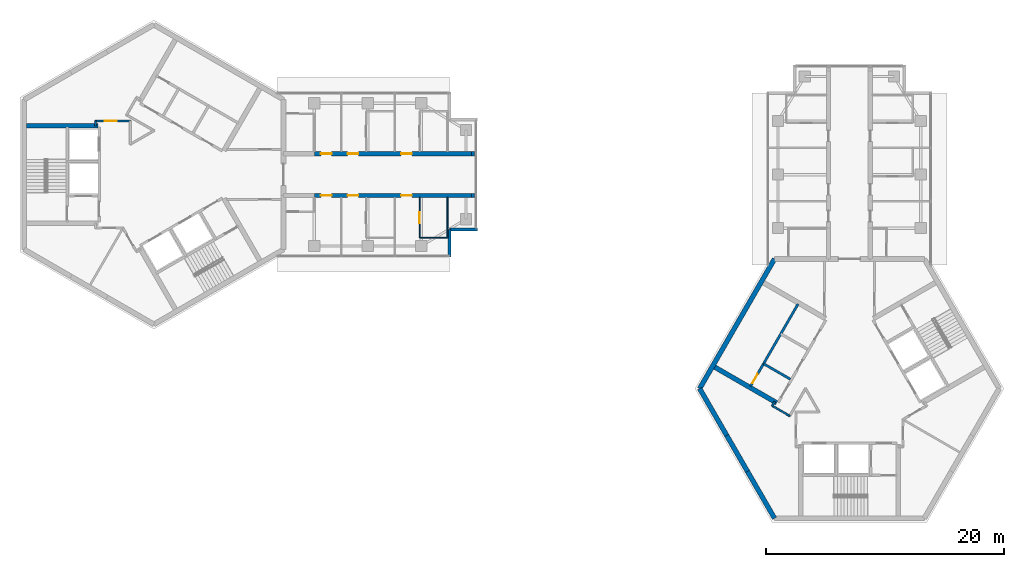
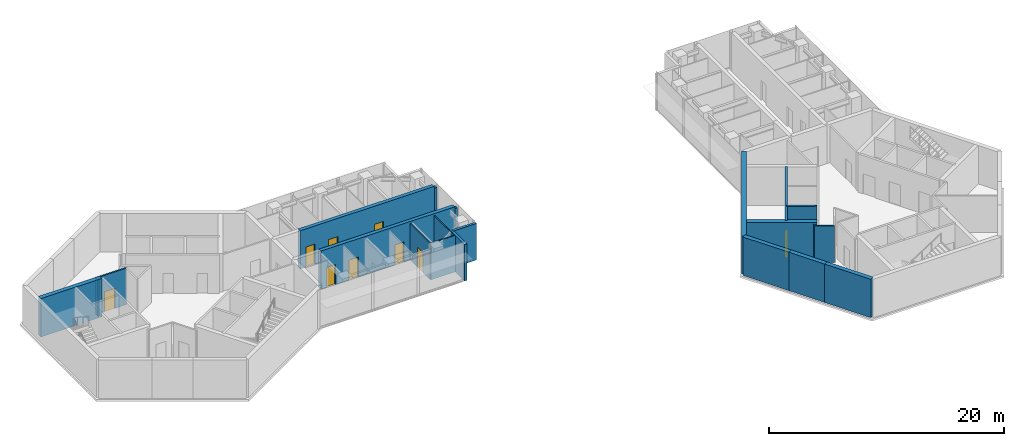
# One storey, part 6 of 11: 21 walls, 9 doors, 9 openings.
"""IFC4 building model written with IfcOpenShell, lengths in metres."""

from ifc_helpers import new_model, si_unit, direction, frame, frame_2d, origin, place, context, subcontext, project, spatial, rectangle, extrude, material, layer, layer_set, type_object, element, fill, save


model = new_model("IFC4")

# Units and contexts
model_context = context("Model", 3, precision=1e-05, world=origin(), true_north=direction((0.0, 1.0)))
body_context = subcontext(model_context, "Body", "Model", "MODEL_VIEW")
ifc_project = project(units=[si_unit("LENGTHUNIT", "METRE"), si_unit("AREAUNIT", "SQUARE_METRE"), si_unit("VOLUMEUNIT", "CUBIC_METRE"), si_unit("PLANEANGLEUNIT", "RADIAN"), si_unit("MASSUNIT", "GRAM", prefix="KILO")], contexts=[model_context])

# Site, building, storey
site_placement = place(None, origin())
site = spatial("IfcSite", under=ifc_project, at=site_placement, CompositionType="ELEMENT")
building_placement = place(site_placement, origin())
building = spatial("IfcBuilding", under=site, at=building_placement, Name="Upepo Twin Towers", CompositionType="ELEMENT")
storey_placement = place(building_placement, frame((0.0, 0.0, 279.5)))
storey = spatial("IfcBuildingStorey", under=building, at=storey_placement, Name="L68", CompositionType="ELEMENT", Elevation=279.5)

# Walls
ifc_material_1 = material(Name="Dense concrete blockwork", Category="masonry")
ifc_layer_1 = layer(ifc_material_1, 0.35009765625)
ifc_layer_set_1 = layer_set([ifc_layer_1], Name="Buttress closer 350, blockwork with fire-stopping to the curtain wall")
wall_type_1 = type_object("IfcWallType", Name="Buttress closer 350, blockwork with fire-stopping to the curtain wall", PredefinedType="PARTITIONING", material=ifc_layer_set_1)
for number, where, z_axis, x_axis, name in (
    (1, (26.699951171875, 1.75, 0.0), (0.0, 0.0, 1.0), (1.0, 0.0, 0.0), "T1 L68 wing A buttress closer L"),
    (2, (26.699951171875, -1.75, 0.0), (0.0, 0.0, 1.0), (1.0, 0.0, 0.0), "T1 L68 wing A buttress closer R"),
):
    element("IfcWall", number, at=place(storey_placement, frame(where, z_axis=z_axis, x_axis=x_axis)), inside=storey, type_object=wall_type_1, Name=name, PredefinedType="PARTITIONING", context=body_context, shape_type="SweptSolid", body=[
        extrude(rectangle(XDim=0.275146484375, YDim=0.35009765625, at=frame_2d((0.1376953125, 0.0))), origin(), (0.0, 0.0, 1.0), 3.800048828125),
    ])

# Wall, openings, doors
ifc_material_2 = material(Name="Concrete C60/75", Category="concrete")
ifc_layer_2 = layer(ifc_material_2, 0.35009765625)
ifc_layer_set_2 = layer_set([ifc_layer_2], Name="Concrete C60/75")
wall_type_2 = type_object("IfcWallType", Name="Buttress wall 350 RC", PredefinedType="SHEAR", material=ifc_layer_set_2)
wall_1_placement = place(storey_placement, frame((13.5, 1.75, 0.0), z_axis=(0.0, 0.0, 1.0), x_axis=(1.0, 0.0, 0.0)))
wall_1 = element("IfcWall", 3, at=wall_1_placement, inside=storey, type_object=wall_type_2, Name="T1 wing A buttress wall L part 2", PredefinedType="SHEAR", context=body_context, shape_type="SweptSolid", body=[
    extrude(rectangle(XDim=13.199951171875, YDim=0.35009765625, at=frame_2d((6.60009765625, 0.0))), origin(), (0.0, 0.0, 1.0), 4.0),
])
opening_1_placement = place(wall_1_placement, frame((0.550048828125, 0.0, 0.0)))
opening_1 = element("IfcOpeningElement", 4, at=opening_1_placement, cuts=wall_1, Name="Opening D11", PredefinedType="OPENING", context=body_context, shape_type="SweptSolid", body=[
    extrude(rectangle(XDim=0.89990234375, YDim=2.10009765625, at=frame_2d((0.449951171875, 1.050048828125))), frame((0.0, 0.18505859375, 0.0), z_axis=(0.0, -1.0, 0.0), x_axis=(1.0, 0.0, 0.0)), (0.0, 0.0, 1.0), 0.3701171875),
])
opening_2_placement = place(wall_1_placement, frame((2.800048828125, 0.0, 0.0)))
opening_2 = element("IfcOpeningElement", 5, at=opening_2_placement, cuts=wall_1, Name="Opening D14", PredefinedType="OPENING", context=body_context, shape_type="SweptSolid", body=[
    extrude(rectangle(XDim=0.89990234375, YDim=2.10009765625, at=frame_2d((0.449951171875, 1.050048828125))), frame((0.0, 0.18505859375, 0.0), z_axis=(0.0, -1.0, 0.0), x_axis=(1.0, 0.0, 0.0)), (0.0, 0.0, 1.0), 0.3701171875),
])
opening_3_placement = place(wall_1_placement, frame((7.300048828125, 0.0, 0.0)))
opening_3 = element("IfcOpeningElement", 6, at=opening_3_placement, cuts=wall_1, Name="Opening D14", PredefinedType="OPENING", context=body_context, shape_type="SweptSolid", body=[
    extrude(rectangle(XDim=0.89990234375, YDim=2.10009765625, at=frame_2d((0.449951171875, 1.050048828125))), frame((0.0, 0.18505859375, 0.0), z_axis=(0.0, -1.0, 0.0), x_axis=(1.0, 0.0, 0.0)), (0.0, 0.0, 1.0), 0.3701171875),
])
ifc_material_3 = material(Name="Timber doorset", Category="wood")
door_type_1 = type_object("IfcDoorType", Name="Office door 900 FD30", OperationType="SINGLE_SWING_LEFT", PredefinedType="DOOR", material=ifc_material_3)
door_1_placement = place(opening_2_placement, origin())
door_1 = element("IfcDoor", 7, at=door_1_placement, inside=storey, type_object=door_type_1, Name="T1 L68 staff office door", OperationType="SINGLE_SWING_LEFT", OverallHeight=2.10009765625, OverallWidth=0.89990234375, PredefinedType="DOOR", context=body_context, shape_type="SweptSolid", body=[
    extrude(rectangle(XDim=0.89990234375, YDim=2.10009765625, at=frame_2d((0.449951171875, 1.050048828125))), frame((0.0, 0.02490234375, 0.0), z_axis=(0.0, -1.0, 0.0), x_axis=(1.0, 0.0, 0.0)), (0.0, 0.0, 1.0), 0.050048828125),
])
fill(opening_2, door_1)
door_2_placement = place(opening_3_placement, origin())
door_2 = element("IfcDoor", 8, at=door_2_placement, inside=storey, type_object=door_type_1, Name="T1 L68 postgraduate office door", OperationType="SINGLE_SWING_RIGHT", OverallHeight=2.10009765625, OverallWidth=0.89990234375, PredefinedType="DOOR", context=body_context, shape_type="SweptSolid", body=[
    extrude(rectangle(XDim=0.89990234375, YDim=2.10009765625, at=frame_2d((0.449951171875, 1.050048828125))), frame((0.0, 0.02490234375, 0.0), z_axis=(0.0, -1.0, 0.0), x_axis=(1.0, 0.0, 0.0)), (0.0, 0.0, 1.0), 0.050048828125),
])
fill(opening_3, door_2)
ifc_material_4 = material(Name="Timber doorset", Category="wood")
door_type_2 = type_object("IfcDoorType", Name="Toilet door 900", OperationType="SINGLE_SWING_LEFT", PredefinedType="DOOR", material=ifc_material_4)
door_3_placement = place(opening_1_placement, origin())
door_3 = element("IfcDoor", 9, at=door_3_placement, inside=storey, type_object=door_type_2, Name="T1 L68 accessible wc door", OperationType="SINGLE_SWING_LEFT", OverallHeight=2.10009765625, OverallWidth=0.89990234375, PredefinedType="DOOR", context=body_context, shape_type="SweptSolid", body=[
    extrude(rectangle(XDim=0.89990234375, YDim=2.10009765625, at=frame_2d((0.449951171875, 1.050048828125))), frame((0.0, 0.02490234375, 0.0), z_axis=(0.0, -1.0, 0.0), x_axis=(1.0, 0.0, 0.0)), (0.0, 0.0, 1.0), 0.050048828125),
])
fill(opening_1, door_3)

wall_2_placement = place(storey_placement, frame((13.5, -1.75, 0.0), z_axis=(0.0, 0.0, 1.0), x_axis=(1.0, 0.0, 0.0)))
wall_2 = element("IfcWall", 10, at=wall_2_placement, inside=storey, type_object=wall_type_2, Name="T1 wing A buttress wall R part 2", PredefinedType="SHEAR", context=body_context, shape_type="SweptSolid", body=[
    extrude(rectangle(XDim=13.199951171875, YDim=0.35009765625, at=frame_2d((6.60009765625, 0.0))), origin(), (0.0, 0.0, 1.0), 4.0),
])
opening_4_placement = place(wall_2_placement, frame((0.550048828125, 0.0, 0.0)))
opening_4 = element("IfcOpeningElement", 11, at=opening_4_placement, cuts=wall_2, Name="Opening D11", PredefinedType="OPENING", context=body_context, shape_type="SweptSolid", body=[
    extrude(rectangle(XDim=0.89990234375, YDim=2.10009765625, at=frame_2d((0.449951171875, 1.050048828125))), frame((0.0, 0.18505859375, 0.0), z_axis=(0.0, -1.0, 0.0), x_axis=(1.0, 0.0, 0.0)), (0.0, 0.0, 1.0), 0.3701171875),
])
opening_5_placement = place(wall_2_placement, frame((2.800048828125, 0.0, 0.0)))
opening_5 = element("IfcOpeningElement", 12, at=opening_5_placement, cuts=wall_2, Name="Opening D14", PredefinedType="OPENING", context=body_context, shape_type="SweptSolid", body=[
    extrude(rectangle(XDim=0.89990234375, YDim=2.10009765625, at=frame_2d((0.449951171875, 1.050048828125))), frame((0.0, 0.18505859375, 0.0), z_axis=(0.0, -1.0, 0.0), x_axis=(1.0, 0.0, 0.0)), (0.0, 0.0, 1.0), 0.3701171875),
])
opening_6_placement = place(wall_2_placement, frame((7.300048828125, 0.0, 0.0)))
opening_6 = element("IfcOpeningElement", 13, at=opening_6_placement, cuts=wall_2, Name="Opening D14", PredefinedType="OPENING", context=body_context, shape_type="SweptSolid", body=[
    extrude(rectangle(XDim=0.89990234375, YDim=2.10009765625, at=frame_2d((0.449951171875, 1.050048828125))), frame((0.0, 0.18505859375, 0.0), z_axis=(0.0, -1.0, 0.0), x_axis=(1.0, 0.0, 0.0)), (0.0, 0.0, 1.0), 0.3701171875),
])
door_4_placement = place(opening_5_placement, origin())
door_4 = element("IfcDoor", 14, at=door_4_placement, inside=storey, type_object=door_type_1, Name="T1 L68 meeting room door", OperationType="SINGLE_SWING_LEFT", OverallHeight=2.10009765625, OverallWidth=0.89990234375, PredefinedType="DOOR", context=body_context, shape_type="SweptSolid", body=[
    extrude(rectangle(XDim=0.89990234375, YDim=2.10009765625, at=frame_2d((0.449951171875, 1.050048828125))), frame((0.0, 0.02490234375, 0.0), z_axis=(0.0, -1.0, 0.0), x_axis=(1.0, 0.0, 0.0)), (0.0, 0.0, 1.0), 0.050048828125),
])
fill(opening_5, door_4)
door_5_placement = place(opening_6_placement, origin())
door_5 = element("IfcDoor", 15, at=door_5_placement, inside=storey, type_object=door_type_1, Name="T1 L68 staff office door", OperationType="SINGLE_SWING_RIGHT", OverallHeight=2.10009765625, OverallWidth=0.89990234375, PredefinedType="DOOR", context=body_context, shape_type="SweptSolid", body=[
    extrude(rectangle(XDim=0.89990234375, YDim=2.10009765625, at=frame_2d((0.449951171875, 1.050048828125))), frame((0.0, 0.02490234375, 0.0), z_axis=(0.0, -1.0, 0.0), x_axis=(1.0, 0.0, 0.0)), (0.0, 0.0, 1.0), 0.050048828125),
])
fill(opening_6, door_5)
door_6_placement = place(opening_4_placement, origin())
door_6 = element("IfcDoor", 16, at=door_6_placement, inside=storey, type_object=door_type_2, Name="T1 L68 toilets door", OperationType="SINGLE_SWING_LEFT", OverallHeight=2.10009765625, OverallWidth=0.89990234375, PredefinedType="DOOR", context=body_context, shape_type="SweptSolid", body=[
    extrude(rectangle(XDim=0.89990234375, YDim=2.10009765625, at=frame_2d((0.449951171875, 1.050048828125))), frame((0.0, 0.02490234375, 0.0), z_axis=(0.0, -1.0, 0.0), x_axis=(1.0, 0.0, 0.0)), (0.0, 0.0, 1.0), 0.050048828125),
])
fill(opening_4, door_6)

# Walls
ifc_material_5 = material(Name="Concrete C60/75", Category="concrete")
ifc_layer_3 = layer(ifc_material_5, 0.39990234375)
ifc_layer_set_3 = layer_set([ifc_layer_3], Name="Concrete C60/75")
wall_type_3 = type_object("IfcWallType", Name="Core wall 400 RC", PredefinedType="SHEAR", material=ifc_layer_set_3)
wall_3_placement = place(storey_placement, frame((52.2021484375, -7.091552734375, 0.0), z_axis=(0.0, 0.0, 1.0), x_axis=(-0.500005998175, -0.866021940709, 0.0)))
element("IfcWall", 17, at=wall_3_placement, inside=storey, type_object=wall_type_3, Name="T2 core wall 060", PredefinedType="SHEAR", context=body_context, shape_type="SweptSolid", body=[
    extrude(rectangle(XDim=12.595947265625, YDim=0.39990234375, at=frame_2d((6.2978515625, 0.0))), origin(), (0.0, 0.0, 1.0), 4.0),
])
wall_4_placement = place(storey_placement, frame((45.904052734375, -18.0, 0.0), z_axis=(0.0, 0.0, 1.0), x_axis=(0.500024481964, -0.866011268655, 0.0)))
element("IfcWall", 18, at=wall_4_placement, inside=storey, type_object=wall_type_3, Name="T2 core wall 120 R", PredefinedType="SHEAR", context=body_context, shape_type="SweptSolid", body=[
    extrude(rectangle(XDim=4.548095703125, YDim=0.39990234375, at=frame_2d((2.27392578125, 0.0))), origin(), (0.0, 0.0, 1.0), 4.0),
])
wall_5_placement = place(storey_placement, frame((48.17822265625, -21.938720703125, 0.0), z_axis=(0.0, 0.0, 1.0), x_axis=(0.500010275428, -0.866019471182, 0.0)))
element("IfcWall", 19, at=wall_5_placement, inside=storey, type_object=wall_type_3, Name="T2 core wall 120", PredefinedType="SHEAR", context=body_context, shape_type="SweptSolid", body=[
    extrude(rectangle(XDim=3.5, YDim=0.39990234375, at=frame_2d((1.75, 0.0))), origin(), (0.0, 0.0, 1.0), 4.0),
])
wall_6_placement = place(storey_placement, frame((49.92822265625, -24.9697265625, 0.0), z_axis=(0.0, 0.0, 1.0), x_axis=(0.499984222037, -0.866034513004, 0.0)))
element("IfcWall", 20, at=wall_6_placement, inside=storey, type_object=wall_type_3, Name="T2 core wall 120 L", PredefinedType="SHEAR", context=body_context, shape_type="SweptSolid", body=[
    extrude(rectangle(XDim=4.548095703125, YDim=0.39990234375, at=frame_2d((2.27392578125, 0.0))), origin(), (0.0, 0.0, 1.0), 4.0),
])
ifc_material_6 = material(Name="Blockwork with anodised aluminium cladding", Category="masonry")
ifc_layer_4 = layer(ifc_material_6, 0.25)
ifc_layer_set_4 = layer_set([ifc_layer_4], Name="Notch cladding wall 250, pale metal")
wall_type_4 = type_object("IfcWallType", Name="Notch cladding wall 250, pale metal", PredefinedType="STANDARD", material=ifc_layer_set_4)
for number, where, z_axis, x_axis, name in (
    (21, (24.875, -6.949951171875, 0.0), (0.0, 0.0, 1.0), (0.0, 1.0, 0.0), "T1 L68 wing A notch wall R1"),
    (22, (24.875, -4.625, 0.0), (0.0, 0.0, 1.0), (1.0, 0.0, 0.0), "T1 L68 wing A notch wall R2"),
):
    element("IfcWall", number, at=place(storey_placement, frame(where, z_axis=z_axis, x_axis=x_axis)), inside=storey, type_object=wall_type_4, Name=name, PredefinedType="STANDARD", context=body_context, shape_type="SweptSolid", body=[
        extrude(rectangle(XDim=2.324951171875, YDim=0.25, at=frame_2d((1.16259765625, 0.0))), origin(), (0.0, 0.0, 1.0), 3.800048828125),
    ])
ifc_material_7 = material(Name="Gypsum board on steel studs", Category="steel")
ifc_layer_5 = layer(ifc_material_7, 0.10009765625)
ifc_layer_set_5 = layer_set([ifc_layer_5], Name="Office partition 100 stud")
wall_type_5 = type_object("IfcWallType", Name="Office partition 100 stud", PredefinedType="PARTITIONING", material=ifc_layer_set_5)
wall_7_placement = place(storey_placement, frame((22.35009765625, -5.324951171875, 0.0), z_axis=(0.0, 0.0, 1.0), x_axis=(1.0, 0.0, 0.0)))
element("IfcWall", 23, at=wall_7_placement, inside=storey, type_object=wall_type_5, Name="T1 inner room partition AR at 22.35", PredefinedType="PARTITIONING", context=body_context, shape_type="SweptSolid", body=[
    extrude(rectangle(XDim=2.39990234375, YDim=0.10009765625, at=frame_2d((1.199951171875, 0.0))), origin(), (0.0, 0.0, 1.0), 3.800048828125),
])

# Wall, opening, door
wall_8_placement = place(storey_placement, frame((22.35009765625, -1.925048828125, 0.0), z_axis=(0.0, 0.0, 1.0), x_axis=(0.0, -1.0, 0.0)))
wall_8 = element("IfcWall", 24, at=wall_8_placement, inside=storey, type_object=wall_type_5, Name="T1 inner room partition AR end at 22.35", PredefinedType="PARTITIONING", context=body_context, shape_type="SweptSolid", body=[
    extrude(rectangle(XDim=3.39990234375, YDim=0.10009765625, at=frame_2d((1.699951171875, 0.0))), origin(), (0.0, 0.0, 1.0), 3.800048828125),
])
opening_7_placement = place(wall_8_placement, frame((1.25, 0.0, 0.0)))
opening_7 = element("IfcOpeningElement", 25, at=opening_7_placement, cuts=wall_8, Name="Opening D14", PredefinedType="OPENING", context=body_context, shape_type="SweptSolid", body=[
    extrude(rectangle(XDim=0.89990234375, YDim=2.10009765625, at=frame_2d((0.449951171875, 1.050048828125))), frame((0.0, 0.06005859375, 0.0), z_axis=(0.0, -1.0, 0.0), x_axis=(1.0, 0.0, 0.0)), (0.0, 0.0, 1.0), 0.1201171875),
])
door_7_placement = place(opening_7_placement, origin())
door_7 = element("IfcDoor", 26, at=door_7_placement, inside=storey, type_object=door_type_1, Name="T1 L68 inner room door", OperationType="SINGLE_SWING_LEFT", OverallHeight=2.10009765625, OverallWidth=0.89990234375, PredefinedType="DOOR", context=body_context, shape_type="SweptSolid", body=[
    extrude(rectangle(XDim=0.89990234375, YDim=2.10009765625, at=frame_2d((0.449951171875, 1.050048828125))), frame((0.0, 0.02490234375, 0.0), z_axis=(0.0, -1.0, 0.0), x_axis=(1.0, 0.0, 0.0)), (0.0, 0.0, 1.0), 0.050048828125),
])
fill(opening_7, door_7)

# Walls
wall_9_placement = place(storey_placement, frame((24.699951171875, -1.925048828125, 0.0), z_axis=(0.0, 0.0, 1.0), x_axis=(0.0, -1.0, 0.0)))
element("IfcWall", 27, at=wall_9_placement, inside=storey, type_object=wall_type_5, Name="T1 inner room partition AR end at 24.75", PredefinedType="PARTITIONING", context=body_context, shape_type="SweptSolid", body=[
    extrude(rectangle(XDim=3.39990234375, YDim=0.10009765625, at=frame_2d((1.699951171875, 0.0))), origin(), (0.0, 0.0, 1.0), 3.800048828125),
])
ifc_material_8 = material(Name="Concrete C40/50", Category="concrete")
ifc_layer_6 = layer(ifc_material_8, 0.199951171875)
ifc_layer_set_6 = layer_set([ifc_layer_6], Name="Concrete C40/50")
wall_type_6 = type_object("IfcWallType", Name="Shaft wall 200 RC", PredefinedType="SHEAR", material=ifc_layer_set_6)
wall_10_placement = place(storey_placement, frame((53.52978515625, -17.208740234375, 0.0), z_axis=(0.0, 0.0, 1.0), x_axis=(-0.866062058628, 0.499936506574, 0.0)))
element("IfcWall", 28, at=wall_10_placement, inside=storey, type_object=wall_type_6, Name="T2 core W60 lobby wall", PredefinedType="SHEAR", context=body_context, shape_type="SweptSolid", body=[
    extrude(rectangle(XDim=2.599853515625, YDim=0.199951171875, at=frame_2d((1.2998046875, 0.0))), origin(), (0.0, 0.0, 1.0), 4.0),
])

# Wall, opening, door
wall_11_placement = place(storey_placement, frame((54.177978515625, -10.885986328125, 0.0), z_axis=(0.0, 0.0, 1.0), x_axis=(-0.49999894854, -0.866026010844, 0.0)))
wall_11 = element("IfcWall", 29, at=wall_11_placement, inside=storey, type_object=wall_type_6, Name="T2 core W60 stair wall", PredefinedType="SHEAR", context=body_context, shape_type="SweptSolid", body=[
    extrude(rectangle(XDim=8.0, YDim=0.199951171875, at=frame_2d((4.0, 0.0))), origin(), (0.0, 0.0, 1.0), 4.0),
])
opening_8_placement = place(wall_11_placement, frame((6.800048828125, 0.0, 0.0)))
opening_8 = element("IfcOpeningElement", 30, at=opening_8_placement, cuts=wall_11, Name="Opening D9", PredefinedType="OPENING", context=body_context, shape_type="SweptSolid", body=[
    extrude(rectangle(XDim=0.89990234375, YDim=2.10009765625, at=frame_2d((0.449951171875, 1.050048828125))), frame((0.0, 0.10986328125, 0.0), z_axis=(0.0, -1.0, 0.0), x_axis=(1.0, 0.0, 0.0)), (0.0, 0.0, 1.0), 0.219970703125),
])
ifc_material_9 = material(Name="Timber doorset", Category="wood")
door_type_3 = type_object("IfcDoorType", Name="Riser door 900 FD60", OperationType="SINGLE_SWING_LEFT", PredefinedType="DOOR", material=ifc_material_9)
door_8_placement = place(opening_8_placement, origin())
door_8 = element("IfcDoor", 31, at=door_8_placement, inside=storey, type_object=door_type_3, Name="T2 L68 riser door", OperationType="SINGLE_SWING_RIGHT", OverallHeight=2.10009765625, OverallWidth=0.89990234375, PredefinedType="DOOR", context=body_context, shape_type="SweptSolid", body=[
    extrude(rectangle(XDim=0.89990234375, YDim=2.10009765625, at=frame_2d((0.449951171875, 1.050048828125))), frame((0.0, 0.02490234375, 0.0), z_axis=(0.0, -1.0, 0.0), x_axis=(1.0, 0.0, 0.0)), (0.0, 0.0, 1.0), 0.050048828125),
])
fill(opening_8, door_8)

# Walls
ifc_material_10 = material(Name="Concrete C40/50", Category="concrete")
ifc_layer_7 = layer(ifc_material_10, 0.39990234375)
ifc_layer_set_7 = layer_set([ifc_layer_7], Name="Concrete C40/50")
wall_type_7 = type_object("IfcWallType", Name="Shaft wall 400 RC", PredefinedType="SHEAR", material=ifc_layer_set_7)
for number, where, z_axis, x_axis, name in (
    (32, (-4.699951171875, 4.10009765625, 0.0), (0.0, 0.0, 1.0), (-1.0, 0.0, 0.0), "T1 core W180 side wall S"),
    (33, (52.379638671875, -19.20068359375, 0.0), (0.0, 0.0, 1.0), (-0.866026570101, 0.499997979876, 0.0), "T2 core W60 side wall N"),
):
    element("IfcWall", number, at=place(storey_placement, frame(where, z_axis=z_axis, x_axis=x_axis)), inside=storey, type_object=wall_type_7, Name=name, PredefinedType="SHEAR", context=body_context, shape_type="SweptSolid", body=[
        extrude(rectangle(XDim=6.00830078125, YDim=0.39990234375, at=frame_2d((3.004150390625, 0.0))), origin(), (0.0, 0.0, 1.0), 4.0),
    ])
ifc_material_11 = material(Name="Gypsum board on steel studs", Category="steel")
ifc_layer_8 = layer(ifc_material_11, 0.14990234375)
ifc_layer_set_8 = layer_set([ifc_layer_8], Name="Teaching partition 150 acoustic")
wall_type_8 = type_object("IfcWallType", Name="Teaching partition 150 acoustic", PredefinedType="PARTITIONING", material=ifc_layer_set_8)
wall_12_placement = place(storey_placement, frame((-4.89990234375, 4.090087890625, 0.0), z_axis=(0.0, 0.0, 1.0), x_axis=(0.0, 1.0, 0.0)))
element("IfcWall", 34, at=wall_12_placement, inside=storey, type_object=wall_type_8, Name="T1 core room partition 4", PredefinedType="PARTITIONING", context=body_context, shape_type="SweptSolid", body=[
    extrude(rectangle(XDim=0.429931640625, YDim=0.14990234375, at=frame_2d((0.21484375, 0.0))), origin(), (0.0, 0.0, 1.0), 3.800048828125),
])

# Wall, opening, door
wall_13_placement = place(storey_placement, frame((-4.919921875, 4.5, 0.0), z_axis=(0.0, 0.0, 1.0), x_axis=(1.0, 0.0, 0.0)))
wall_13 = element("IfcWall", 35, at=wall_13_placement, inside=storey, type_object=wall_type_8, Name="T1 core room partition 5", PredefinedType="PARTITIONING", context=body_context, shape_type="SweptSolid", body=[
    extrude(rectangle(XDim=2.96484375, YDim=0.14990234375, at=frame_2d((1.482421875, 0.0))), origin(), (0.0, 0.0, 1.0), 3.800048828125),
])
opening_9_placement = place(wall_13_placement, frame((0.800048828125, 0.0, 0.0)))
opening_9 = element("IfcOpeningElement", 36, at=opening_9_placement, cuts=wall_13, Name="Opening D1", PredefinedType="OPENING", context=body_context, shape_type="SweptSolid", body=[
    extrude(rectangle(XDim=1.0, YDim=2.10009765625, at=frame_2d((0.5, 1.050048828125))), frame((0.0, 0.0849609375, 0.0), z_axis=(0.0, -1.0, 0.0), x_axis=(1.0, 0.0, 0.0)), (0.0, 0.0, 1.0), 0.169921875),
])
ifc_material_12 = material(Name="Timber doorset", Category="wood")
door_type_4 = type_object("IfcDoorType", Name="Room door 1000 FD30", OperationType="SINGLE_SWING_LEFT", PredefinedType="DOOR", material=ifc_material_12)
door_9_placement = place(opening_9_placement, origin())
door_9 = element("IfcDoor", 37, at=door_9_placement, inside=storey, type_object=door_type_4, Name="T1 L68 core room door K5", OperationType="SINGLE_SWING_LEFT", OverallHeight=2.10009765625, OverallWidth=1.0, PredefinedType="DOOR", context=body_context, shape_type="SweptSolid", body=[
    extrude(rectangle(XDim=1.0, YDim=2.10009765625, at=frame_2d((0.5, 1.050048828125))), frame((0.0, 0.02490234375, 0.0), z_axis=(0.0, -1.0, 0.0), x_axis=(1.0, 0.0, 0.0)), (0.0, 0.0, 1.0), 0.050048828125),
])
fill(opening_9, door_9)

# Walls
wall_14_placement = place(storey_placement, frame((53.49609375, -20.30712890625, 0.0), z_axis=(0.0, 0.0, 1.0), x_axis=(-0.865989304205, 0.500062521093, 0.0)))
element("IfcWall", 38, at=wall_14_placement, inside=storey, type_object=wall_type_8, Name="T2 core room partition 7", PredefinedType="PARTITIONING", context=body_context, shape_type="SweptSolid", body=[
    extrude(rectangle(XDim=1.739990234375, YDim=0.14990234375, at=frame_2d((0.8701171875, 0.0))), origin(), (0.0, 0.0, 1.0), 3.800048828125),
])
wall_15_placement = place(storey_placement, frame((51.99658203125, -19.46435546875, 0.0), z_axis=(0.0, 0.0, 1.0), x_axis=(0.499804398801, 0.866138304741, 0.0)))
element("IfcWall", 39, at=wall_15_placement, inside=storey, type_object=wall_type_8, Name="T2 core room partition 8", PredefinedType="PARTITIONING", context=body_context, shape_type="SweptSolid", body=[
    extrude(rectangle(XDim=0.429931640625, YDim=0.14990234375, at=frame_2d((0.21484375, 0.0))), origin(), (0.0, 0.0, 1.0), 3.800048828125),
])

save(model, "model.ifc")
